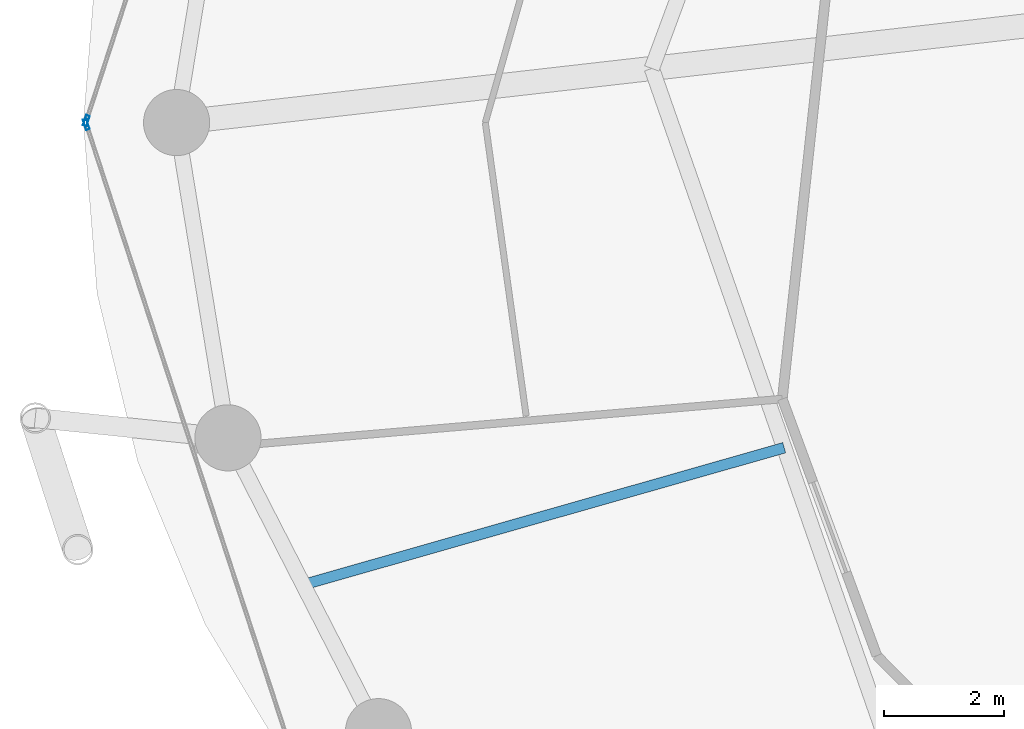
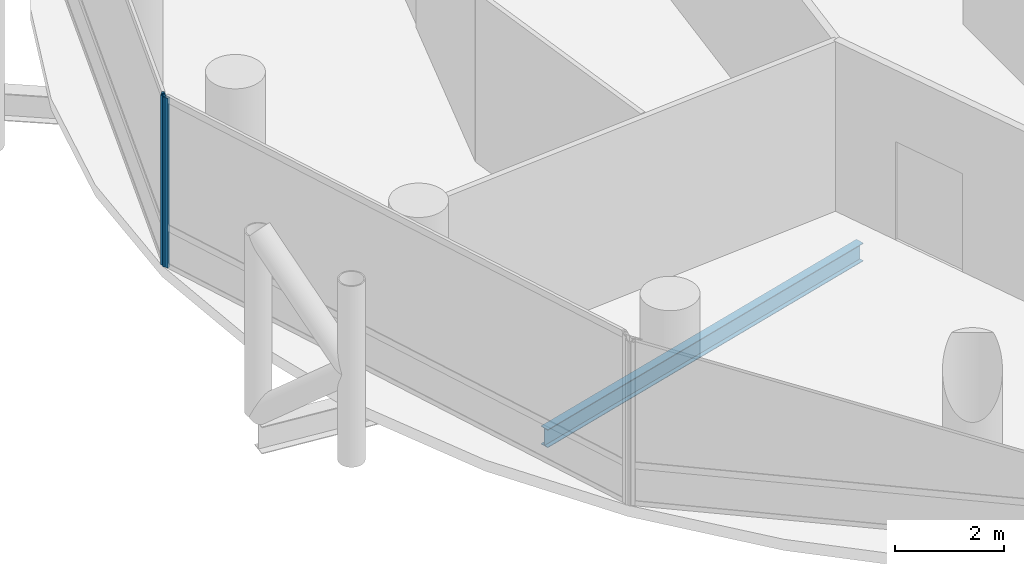
# One storey, part 6 of 24: 2 members, 1 beam, 2 elements without a shape of their own.
"""IFC4 building model written with IfcOpenShell, lengths in metres."""

from ifc_helpers import new_model, si_unit, direction, frame, origin, origin_2d, place, context, subcontext, project, spatial, hollow_rectangle, i_section, extrude, material, layer, layer_set, material_profile, profile_set, type_object, element, aggregate, save


model = new_model("IFC4")

# Units and contexts
model_context = context("Model", 3, precision=1e-05, world=origin(), true_north=direction((0.0, 1.0)))
body_context = subcontext(model_context, "Body", "Model", "MODEL_VIEW")
ifc_project = project(units=[si_unit("LENGTHUNIT", "METRE"), si_unit("AREAUNIT", "SQUARE_METRE"), si_unit("VOLUMEUNIT", "CUBIC_METRE"), si_unit("PLANEANGLEUNIT", "RADIAN"), si_unit("MASSUNIT", "GRAM", prefix="KILO")], contexts=[model_context])

# Site, building, storey
site_placement = place(None, origin())
site = spatial("IfcSite", under=ifc_project, at=site_placement, CompositionType="ELEMENT")
building_placement = place(site_placement, origin())
building = spatial("IfcBuilding", under=site, at=building_placement, Name="Nuhasar Tower", CompositionType="ELEMENT")
storey_placement = place(building_placement, frame((0.0, 0.0, 85.800048828125)))
storey = spatial("IfcBuildingStorey", under=building, at=storey_placement, Name="L20", CompositionType="ELEMENT", Elevation=85.800048828125)

# Beam
ifc_material_1 = material(Name="Steel S355", Category="steel")
ifc_material_profile_1 = material_profile(ifc_material_1, i_section(OverallWidth=0.177978515625, OverallDepth=0.406005859375, WebThickness=0.0078125, FlangeThickness=0.0126953125, at=origin_2d()), Name="W16X40")
ifc_profile_set_1 = profile_set([ifc_material_profile_1], Name="Steel S355")
beam_type = type_object("IfcBeamType", Name="BM-JST-W16X40", PredefinedType="JOIST", material=ifc_profile_set_1)
beam_placement = place(storey_placement, frame((24.051025390625, 21.39501953125, -0.453125), z_axis=(-0.961730884496, -0.273995813484, 0.0), x_axis=(0.273995813484, -0.961730884496, 0.0)))
element("IfcBeam", 1, at=beam_placement, inside=storey, type_object=beam_type, Name="L20 Secondary Floor Joist 08", PredefinedType="JOIST", context=body_context, shape_type="SweptSolid", body=[
    extrude(i_section(OverallWidth=0.177978515625, OverallDepth=0.406005859375, WebThickness=0.0078125, FlangeThickness=0.0126953125, at=origin_2d()), origin(), (0.0, 0.0, 1.0), 8.314208984375),
])

# Curtain wall, member
ifc_material_2 = material(Name="Aluminium 6063-T6", Category="aluminium")
ifc_layer = layer(ifc_material_2, 0.199951171875)
ifc_layer_set = layer_set([ifc_layer], Name="Aluminium 6063-T6")
curtain_wall_type = type_object("IfcCurtainWallType", Name="CW-Z1-OFF", PredefinedType="NOTDEFINED", material=ifc_layer_set)
curtain_wall_1_placement = place(storey_placement, origin())
curtain_wall_1 = element("IfcCurtainWall", 2, at=curtain_wall_1_placement, inside=storey, type_object=curtain_wall_type, Name="L20 Unitised Curtain Wall 06", PredefinedType="NOTDEFINED")
ifc_material_profile_2 = material_profile(ifc_material_2, hollow_rectangle(XDim=0.06494140625, YDim=0.179931640625, WallThickness=0.0048828125, at=origin_2d()), Name="CWM-2")
ifc_profile_set_2 = profile_set([ifc_material_profile_2], Name="Aluminium 6063-T6")
member_type = type_object("IfcMemberType", Name="CW-MUL-S2", PredefinedType="MULLION", material=ifc_profile_set_2)
member_1_placement = place(storey_placement, frame((12.4501953125, 26.830810546875, 0.0), z_axis=(0.0, 0.0, 1.0), x_axis=(0.950467534571, -0.310823849997, 0.0)))
member_1 = element("IfcMember", 3, at=member_1_placement, type_object=member_type, Name="CW-Z1 mullion 2", PredefinedType="MULLION", context=body_context, shape_type="SweptSolid", body=[
    extrude(hollow_rectangle(XDim=0.06494140625, YDim=0.179931640625, WallThickness=0.0048828125, at=origin_2d()), origin(), (0.0, 0.0, 1.0), 3.800048828125),
])
aggregate(curtain_wall_1, [member_1])

curtain_wall_2_placement = place(storey_placement, origin())
curtain_wall_2 = element("IfcCurtainWall", 4, at=curtain_wall_2_placement, inside=storey, type_object=curtain_wall_type, Name="L20 Unitised Curtain Wall 07", PredefinedType="NOTDEFINED")
member_2_placement = place(storey_placement, frame((12.4501953125, 26.76904296875, 0.0), z_axis=(0.0, 0.0, 1.0), x_axis=(0.950467534571, 0.310823849997, 0.0)))
member_2 = element("IfcMember", 5, at=member_2_placement, type_object=member_type, Name="CW-Z1 mullion 1", PredefinedType="MULLION", context=body_context, shape_type="SweptSolid", body=[
    extrude(hollow_rectangle(XDim=0.06494140625, YDim=0.179931640625, WallThickness=0.0048828125, at=origin_2d()), origin(), (0.0, 0.0, 1.0), 3.800048828125),
])
aggregate(curtain_wall_2, [member_2])

save(model, "model.ifc")
